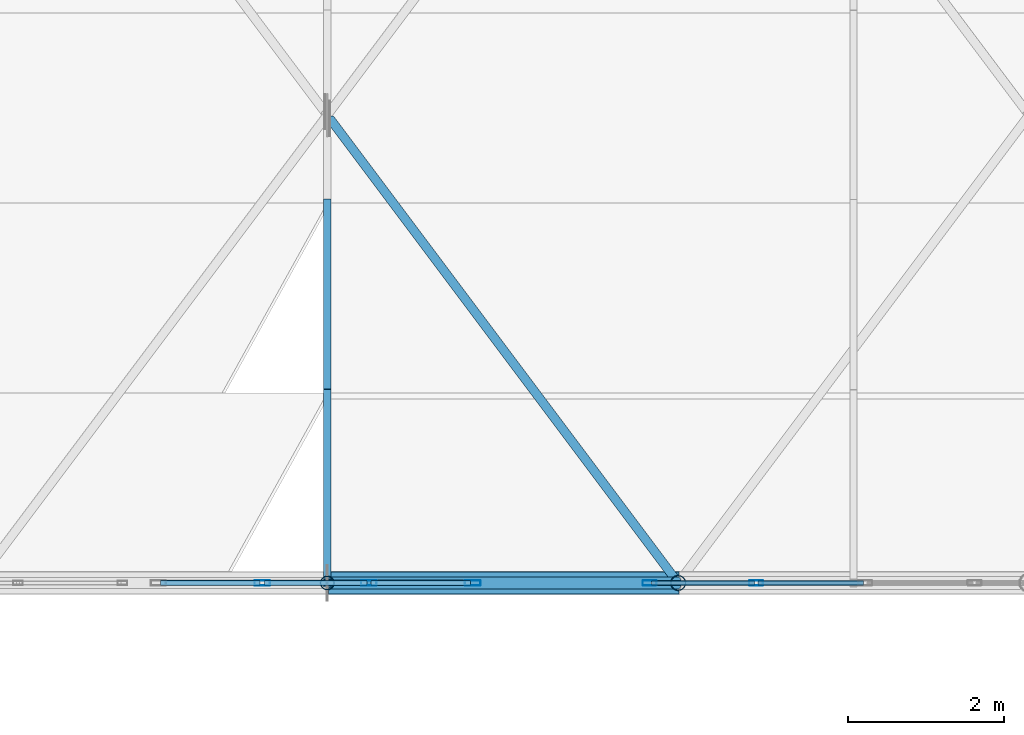
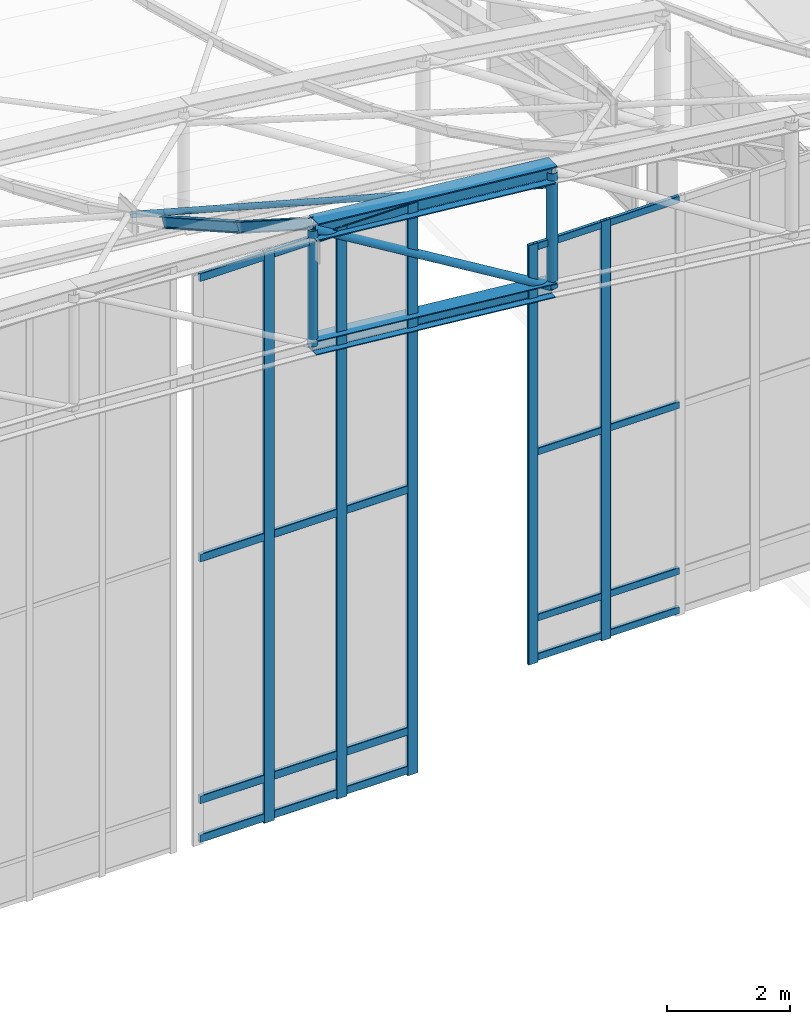
# One storey, part 66 of 262: 33 members, 2 elements without a shape of their own.
"""IFC4 building model written with IfcOpenShell, lengths in metres."""

from ifc_helpers import new_model, si_unit, derived_unit, direction, frame, origin, origin_2d, place, context, subcontext, project, spatial, hollow_rectangle, hollow_circle, i_section, extrude, material, layer, layer_set, material_profile, profile_set, type_object, element, aggregate, save


model = new_model("IFC4")

# Units and contexts
model_context = context("Model", 3, precision=1e-05, world=origin(), true_north=direction((0.0, 1.0)))
body_context = subcontext(model_context, "Body", "Model", "MODEL_VIEW")
ifc_project = project(units=[si_unit("LENGTHUNIT", "METRE"), si_unit("AREAUNIT", "SQUARE_METRE"), si_unit("VOLUMEUNIT", "CUBIC_METRE"), si_unit("PLANEANGLEUNIT", "RADIAN"), si_unit("MASSUNIT", "GRAM", prefix="KILO"), derived_unit("THERMALTRANSMITTANCEUNIT", [(si_unit("POWERUNIT", "WATT"), 1), (si_unit("LENGTHUNIT", "METRE"), -2), (si_unit("THERMODYNAMICTEMPERATUREUNIT", "KELVIN"), -1)])], contexts=[model_context])

# Site, building, storey
site_placement = place(None, origin())
site = spatial("IfcSite", under=ifc_project, at=site_placement, CompositionType="ELEMENT")
building_placement = place(site_placement, origin())
building = spatial("IfcBuilding", under=site, at=building_placement, Name="Almenara Railside Exhibition Hall", CompositionType="ELEMENT")
storey_placement = place(building_placement, frame((0.0, 0.0, 21.699951171875)))
storey = spatial("IfcBuildingStorey", under=building, at=storey_placement, Name="RF", CompositionType="ELEMENT", Elevation=21.699951171875)

# Members
ifc_material_1 = material(Name="Structural steel S355JR", Category="steel")
ifc_material_profile_1 = material_profile(ifc_material_1, i_section(OverallWidth=0.280029296875, OverallDepth=0.280029296875, WebThickness=0.010498046875, FlangeThickness=0.01806640625, FilletRadius=0.02392578125, at=origin_2d()), Name="HEB 280")
ifc_profile_set_1 = profile_set([ifc_material_profile_1], Name="Structural steel S355JR")
member_type_1 = type_object("IfcMemberType", Name="Arched Gable Bottom Chord HEB 280 S355JR", PredefinedType="CHORD", material=ifc_profile_set_1)
member_1_placement = place(storey_placement, frame((52.5, 48.0, 8.25), z_axis=(0.995512933083, 0.0, -0.094625578275), x_axis=(0.0, 1.0, 0.0)))
element("IfcMember", 1, at=member_1_placement, inside=storey, type_object=member_type_1, Name="MEM-BC-V1-00-09", PredefinedType="CHORD", context=body_context, shape_type="SweptSolid", body=[
    extrude(i_section(OverallWidth=0.280029296875, OverallDepth=0.280029296875, WebThickness=0.010498046875, FlangeThickness=0.01806640625, FilletRadius=0.02392578125, at=origin_2d()), origin(), (0.0, 0.0, 1.0), 4.520263671875),
])
ifc_material_profile_2 = material_profile(ifc_material_1, i_section(OverallWidth=0.300048828125, OverallDepth=0.340087890625, WebThickness=0.011962890625, FlangeThickness=0.021484375, FilletRadius=0.027099609375, at=origin_2d()), Name="HEB 340")
ifc_profile_set_2 = profile_set([ifc_material_profile_2], Name="Structural steel S355JR")
member_type_2 = type_object("IfcMemberType", Name="Arched Gable Top Chord HEB 340 S355JR", PredefinedType="CHORD", material=ifc_profile_set_2)
member_2_placement = place(storey_placement, frame((52.5, 48.0, 10.550048828125), z_axis=(0.995512933083, 0.0, -0.094625578275), x_axis=(0.0, 1.0, 0.0)))
element("IfcMember", 2, at=member_2_placement, inside=storey, type_object=member_type_2, Name="MEM-TC-V1-00-09", PredefinedType="CHORD", context=body_context, shape_type="SweptSolid", body=[
    extrude(i_section(OverallWidth=0.300048828125, OverallDepth=0.340087890625, WebThickness=0.011962890625, FlangeThickness=0.021484375, FilletRadius=0.027099609375, at=origin_2d()), origin(), (0.0, 0.0, 1.0), 4.520263671875),
])

# Curtain wall, members
ifc_material_2 = material(Name="Bronze-anodised aluminium and low-E double glazing", Category="aluminium")
ifc_layer = layer(ifc_material_2, 0.179931640625, Name="Bronze-anodised aluminium and low-E double glazing")
ifc_layer_set = layer_set([ifc_layer], Name="Bronze-anodised aluminium and low-E double glazing")
curtain_wall_type = type_object("IfcCurtainWallType", Name="Scroll Gable Tall Curtain Wall 3800x5400", PredefinedType="NOTDEFINED", material=ifc_layer_set)
curtain_wall_1_placement = place(storey_placement, origin())
curtain_wall_1 = element("IfcCurtainWall", 3, at=curtain_wall_1_placement, inside=storey, type_object=curtain_wall_type, Name="Curtain wall CW-G1-197", PredefinedType="NOTDEFINED")
ifc_material_3 = material(Name="Bronze-anodised aluminium", Category="aluminium")
ifc_material_profile_3 = material_profile(ifc_material_3, hollow_rectangle(XDim=0.06494140625, YDim=0.179931640625, WallThickness=0.00390625, InnerFilletRadius=0.00390625, OuterFilletRadius=0.008056640625, at=origin_2d()), Name="ALU-MUL 65x180x4")
ifc_profile_set_3 = profile_set([ifc_material_profile_3], Name="Bronze-anodised aluminium")
member_type_3 = type_object("IfcMemberType", Name="Curtain Wall Mullion 65x180x4", PredefinedType="MULLION", material=ifc_profile_set_3)
member_3_placement = place(storey_placement, frame((56.632568359375, 48.0, 0.465087890625), z_axis=(0.0, 0.0, 1.0), x_axis=(0.0, 1.0, 0.0)))
member_3 = element("IfcMember", 4, at=member_3_placement, type_object=member_type_3, Name="CW-G1-197 mullion 1", PredefinedType="MULLION", context=body_context, shape_type="SweptSolid", body=[
    extrude(hollow_rectangle(XDim=0.06494140625, YDim=0.179931640625, WallThickness=0.00390625, InnerFilletRadius=0.00390625, OuterFilletRadius=0.008056640625, at=origin_2d()), origin(), (0.0, 0.0, 1.0), 8.3349609375),
])
member_4_placement = place(storey_placement, frame((58.0, 48.0, 0.465087890625), z_axis=(0.0, 0.0, 1.0), x_axis=(0.0, 1.0, 0.0)))
member_4 = element("IfcMember", 5, at=member_4_placement, type_object=member_type_3, Name="CW-G1-197 mullion 2", PredefinedType="MULLION", context=body_context, shape_type="SweptSolid", body=[
    extrude(hollow_rectangle(XDim=0.06494140625, YDim=0.179931640625, WallThickness=0.00390625, InnerFilletRadius=0.00390625, OuterFilletRadius=0.008056640625, at=origin_2d()), origin(), (0.0, 0.0, 1.0), 8.3349609375),
])

curtain_wall_2_placement = place(storey_placement, origin())
curtain_wall_2 = element("IfcCurtainWall", 6, at=curtain_wall_2_placement, inside=storey, type_object=curtain_wall_type, Name="Curtain wall CW-G1-204", PredefinedType="NOTDEFINED")
ifc_material_profile_4 = material_profile(ifc_material_3, hollow_rectangle(XDim=0.070068359375, YDim=0.199951171875, WallThickness=0.00439453125, InnerFilletRadius=0.00439453125, OuterFilletRadius=0.009033203125, at=origin_2d()), Name="ALU-MUL 70x200x4.5")
ifc_profile_set_4 = profile_set([ifc_material_profile_4], Name="Bronze-anodised aluminium")
member_type_4 = type_object("IfcMemberType", Name="Curtain Wall Mullion 70x200x4.5", PredefinedType="MULLION", material=ifc_profile_set_4)
member_5_placement = place(storey_placement, frame((51.666748046875, 48.0, -0.93505859375), z_axis=(0.0, 0.0, 1.0), x_axis=(0.0, 1.0, 0.0)))
member_5 = element("IfcMember", 7, at=member_5_placement, type_object=member_type_4, Name="CW-G1-204 mullion 2", PredefinedType="MULLION", context=body_context, shape_type="SweptSolid", body=[
    extrude(hollow_rectangle(XDim=0.070068359375, YDim=0.199951171875, WallThickness=0.00439453125, InnerFilletRadius=0.00439453125, OuterFilletRadius=0.009033203125, at=origin_2d()), origin(), (0.0, 0.0, 1.0), 11.34521484375),
])
member_6_placement = place(storey_placement, frame((53.033447265625, 48.0, -0.93505859375), z_axis=(0.0, 0.0, 1.0), x_axis=(0.0, 1.0, 0.0)))
member_6 = element("IfcMember", 8, at=member_6_placement, type_object=member_type_4, Name="CW-G1-204 mullion 3", PredefinedType="MULLION", context=body_context, shape_type="SweptSolid", body=[
    extrude(hollow_rectangle(XDim=0.070068359375, YDim=0.199951171875, WallThickness=0.00439453125, InnerFilletRadius=0.00439453125, OuterFilletRadius=0.009033203125, at=origin_2d()), origin(), (0.0, 0.0, 1.0), 11.34521484375),
])
member_7_placement = place(storey_placement, frame((54.364990234375, 48.0, -0.93505859375), z_axis=(0.0, 0.0, 1.0), x_axis=(0.0, 1.0, 0.0)))
member_7 = element("IfcMember", 9, at=member_7_placement, type_object=member_type_4, Name="CW-G1-204 mullion 4", PredefinedType="MULLION", context=body_context, shape_type="SweptSolid", body=[
    extrude(hollow_rectangle(XDim=0.070068359375, YDim=0.199951171875, WallThickness=0.00439453125, InnerFilletRadius=0.00439453125, OuterFilletRadius=0.009033203125, at=origin_2d()), origin(), (0.0, 0.0, 1.0), 11.34521484375),
])

# Member
ifc_material_profile_5 = material_profile(ifc_material_3, hollow_rectangle(XDim=0.06494140625, YDim=0.139892578125, WallThickness=0.00341796875, InnerFilletRadius=0.00341796875, OuterFilletRadius=0.007080078125, at=origin_2d()), Name="ALU-TRN 65x140x3.5")
ifc_profile_set_5 = profile_set([ifc_material_profile_5], Name="Bronze-anodised aluminium")
member_type_5 = type_object("IfcMemberType", Name="Curtain Wall Transom 65x140x3.5", PredefinedType="USERDEFINED", material=ifc_profile_set_5)
member_8_placement = place(storey_placement, frame((56.656982421875, 48.0, 0.570068359375), z_axis=(1.0, 0.0, 0.0), x_axis=(0.0, 1.0, 0.0)))
member_8 = element("IfcMember", 10, at=member_8_placement, type_object=member_type_5, Name="CW-G1-197 transom 1.1", ObjectType="TRANSOM", PredefinedType="USERDEFINED", context=body_context, shape_type="SweptSolid", body=[
    extrude(hollow_rectangle(XDim=0.06494140625, YDim=0.139892578125, WallThickness=0.00341796875, InnerFilletRadius=0.00341796875, OuterFilletRadius=0.007080078125, at=origin_2d()), origin(), (0.0, 0.0, 1.0), 1.318603515625),
])

member_9_placement = place(storey_placement, frame((56.656982421875, 48.0, 1.35009765625), z_axis=(1.0, 0.0, 0.0), x_axis=(0.0, 1.0, 0.0)))
member_9 = element("IfcMember", 11, at=member_9_placement, type_object=member_type_5, Name="CW-G1-197 transom 1.2", ObjectType="TRANSOM", PredefinedType="USERDEFINED", context=body_context, shape_type="SweptSolid", body=[
    extrude(hollow_rectangle(XDim=0.06494140625, YDim=0.139892578125, WallThickness=0.00341796875, InnerFilletRadius=0.00341796875, OuterFilletRadius=0.007080078125, at=origin_2d()), origin(), (0.0, 0.0, 1.0), 1.318603515625),
])

member_10_placement = place(storey_placement, frame((56.656982421875, 48.0, 4.650146484375), z_axis=(1.0, 0.0, 0.0), x_axis=(0.0, 1.0, 0.0)))
member_10 = element("IfcMember", 12, at=member_10_placement, type_object=member_type_5, Name="CW-G1-197 transom 1.3", ObjectType="TRANSOM", PredefinedType="USERDEFINED", context=body_context, shape_type="SweptSolid", body=[
    extrude(hollow_rectangle(XDim=0.06494140625, YDim=0.139892578125, WallThickness=0.00341796875, InnerFilletRadius=0.00341796875, OuterFilletRadius=0.007080078125, at=origin_2d()), origin(), (0.0, 0.0, 1.0), 1.318603515625),
])

member_11_placement = place(storey_placement, frame((56.656982421875, 48.0, 8.72998046875), z_axis=(1.0, 0.0, 0.0), x_axis=(0.0, 1.0, 0.0)))
member_11 = element("IfcMember", 13, at=member_11_placement, type_object=member_type_5, Name="CW-G1-197 transom 1.4", ObjectType="TRANSOM", PredefinedType="USERDEFINED", context=body_context, shape_type="SweptSolid", body=[
    extrude(hollow_rectangle(XDim=0.06494140625, YDim=0.139892578125, WallThickness=0.00341796875, InnerFilletRadius=0.00341796875, OuterFilletRadius=0.007080078125, at=origin_2d()), origin(), (0.0, 0.0, 1.0), 1.318603515625),
])

member_12_placement = place(storey_placement, frame((58.0244140625, 48.0, 0.570068359375), z_axis=(1.0, 0.0, 0.0), x_axis=(0.0, 1.0, 0.0)))
member_12 = element("IfcMember", 14, at=member_12_placement, type_object=member_type_5, Name="CW-G1-197 transom 2.1", ObjectType="TRANSOM", PredefinedType="USERDEFINED", context=body_context, shape_type="SweptSolid", body=[
    extrude(hollow_rectangle(XDim=0.06494140625, YDim=0.139892578125, WallThickness=0.00341796875, InnerFilletRadius=0.00341796875, OuterFilletRadius=0.007080078125, at=origin_2d()), origin(), (0.0, 0.0, 1.0), 1.35107421875),
])

member_13_placement = place(storey_placement, frame((58.0244140625, 48.0, 1.35009765625), z_axis=(1.0, 0.0, 0.0), x_axis=(0.0, 1.0, 0.0)))
member_13 = element("IfcMember", 15, at=member_13_placement, type_object=member_type_5, Name="CW-G1-197 transom 2.2", ObjectType="TRANSOM", PredefinedType="USERDEFINED", context=body_context, shape_type="SweptSolid", body=[
    extrude(hollow_rectangle(XDim=0.06494140625, YDim=0.139892578125, WallThickness=0.00341796875, InnerFilletRadius=0.00341796875, OuterFilletRadius=0.007080078125, at=origin_2d()), origin(), (0.0, 0.0, 1.0), 1.35107421875),
])

member_14_placement = place(storey_placement, frame((58.0244140625, 48.0, 4.650146484375), z_axis=(1.0, 0.0, 0.0), x_axis=(0.0, 1.0, 0.0)))
member_14 = element("IfcMember", 16, at=member_14_placement, type_object=member_type_5, Name="CW-G1-197 transom 2.3", ObjectType="TRANSOM", PredefinedType="USERDEFINED", context=body_context, shape_type="SweptSolid", body=[
    extrude(hollow_rectangle(XDim=0.06494140625, YDim=0.139892578125, WallThickness=0.00341796875, InnerFilletRadius=0.00341796875, OuterFilletRadius=0.007080078125, at=origin_2d()), origin(), (0.0, 0.0, 1.0), 1.35107421875),
])

member_15_placement = place(storey_placement, frame((58.0244140625, 48.0, 8.72998046875), z_axis=(1.0, 0.0, 0.0), x_axis=(0.0, 1.0, 0.0)))
member_15 = element("IfcMember", 17, at=member_15_placement, type_object=member_type_5, Name="CW-G1-197 transom 2.4", ObjectType="TRANSOM", PredefinedType="USERDEFINED", context=body_context, shape_type="SweptSolid", body=[
    extrude(hollow_rectangle(XDim=0.06494140625, YDim=0.139892578125, WallThickness=0.00341796875, InnerFilletRadius=0.00341796875, OuterFilletRadius=0.007080078125, at=origin_2d()), origin(), (0.0, 0.0, 1.0), 1.35107421875),
])

aggregate(curtain_wall_1, [member_3, member_4, member_8, member_9, member_10, member_11, member_12, member_13, member_14, member_15])

ifc_material_profile_6 = material_profile(ifc_material_3, hollow_rectangle(XDim=0.070068359375, YDim=0.159912109375, WallThickness=0.00390625, InnerFilletRadius=0.00390625, OuterFilletRadius=0.008056640625, at=origin_2d()), Name="ALU-TRN 70x160x4")
ifc_profile_set_6 = profile_set([ifc_material_profile_6], Name="Bronze-anodised aluminium")
member_type_6 = type_object("IfcMemberType", Name="Curtain Wall Transom 70x160x4", PredefinedType="USERDEFINED", material=ifc_profile_set_6)
member_16_placement = place(storey_placement, frame((50.362060546875, 48.0, -0.820068359375), z_axis=(1.0, 0.0, 0.0), x_axis=(0.0, 1.0, 0.0)))
member_16 = element("IfcMember", 18, at=member_16_placement, type_object=member_type_6, Name="CW-G1-204 transom 1.1", ObjectType="TRANSOM", PredefinedType="USERDEFINED", context=body_context, shape_type="SweptSolid", body=[
    extrude(hollow_rectangle(XDim=0.070068359375, YDim=0.159912109375, WallThickness=0.00390625, InnerFilletRadius=0.00390625, OuterFilletRadius=0.008056640625, at=origin_2d()), origin(), (0.0, 0.0, 1.0), 1.277587890625),
])

member_17_placement = place(storey_placement, frame((50.362060546875, 48.0, -0.050048828125), z_axis=(1.0, 0.0, 0.0), x_axis=(0.0, 1.0, 0.0)))
member_17 = element("IfcMember", 19, at=member_17_placement, type_object=member_type_6, Name="CW-G1-204 transom 1.2", ObjectType="TRANSOM", PredefinedType="USERDEFINED", context=body_context, shape_type="SweptSolid", body=[
    extrude(hollow_rectangle(XDim=0.070068359375, YDim=0.159912109375, WallThickness=0.00390625, InnerFilletRadius=0.00390625, OuterFilletRadius=0.008056640625, at=origin_2d()), origin(), (0.0, 0.0, 1.0), 1.277587890625),
])

member_18_placement = place(storey_placement, frame((50.362060546875, 48.0, 4.755126953125), z_axis=(1.0, 0.0, 0.0), x_axis=(0.0, 1.0, 0.0)))
member_18 = element("IfcMember", 20, at=member_18_placement, type_object=member_type_6, Name="CW-G1-204 transom 1.3", ObjectType="TRANSOM", PredefinedType="USERDEFINED", context=body_context, shape_type="SweptSolid", body=[
    extrude(hollow_rectangle(XDim=0.070068359375, YDim=0.159912109375, WallThickness=0.00390625, InnerFilletRadius=0.00390625, OuterFilletRadius=0.008056640625, at=origin_2d()), origin(), (0.0, 0.0, 1.0), 1.277587890625),
])

member_19_placement = place(storey_placement, frame((50.362060546875, 48.0, 10.330078125), z_axis=(1.0, 0.0, 0.0), x_axis=(0.0, 1.0, 0.0)))
member_19 = element("IfcMember", 21, at=member_19_placement, type_object=member_type_6, Name="CW-G1-204 transom 1.4", ObjectType="TRANSOM", PredefinedType="USERDEFINED", context=body_context, shape_type="SweptSolid", body=[
    extrude(hollow_rectangle(XDim=0.070068359375, YDim=0.159912109375, WallThickness=0.00390625, InnerFilletRadius=0.00390625, OuterFilletRadius=0.008056640625, at=origin_2d()), origin(), (0.0, 0.0, 1.0), 1.277587890625),
])

member_20_placement = place(storey_placement, frame((51.693603515625, 48.0, -0.820068359375), z_axis=(1.0, 0.0, 0.0), x_axis=(0.0, 1.0, 0.0)))
member_20 = element("IfcMember", 22, at=member_20_placement, type_object=member_type_6, Name="CW-G1-204 transom 2.1", ObjectType="TRANSOM", PredefinedType="USERDEFINED", context=body_context, shape_type="SweptSolid", body=[
    extrude(hollow_rectangle(XDim=0.070068359375, YDim=0.159912109375, WallThickness=0.00390625, InnerFilletRadius=0.00390625, OuterFilletRadius=0.008056640625, at=origin_2d()), origin(), (0.0, 0.0, 1.0), 1.312744140625),
])

member_21_placement = place(storey_placement, frame((51.693603515625, 48.0, -0.050048828125), z_axis=(1.0, 0.0, 0.0), x_axis=(0.0, 1.0, 0.0)))
member_21 = element("IfcMember", 23, at=member_21_placement, type_object=member_type_6, Name="CW-G1-204 transom 2.2", ObjectType="TRANSOM", PredefinedType="USERDEFINED", context=body_context, shape_type="SweptSolid", body=[
    extrude(hollow_rectangle(XDim=0.070068359375, YDim=0.159912109375, WallThickness=0.00390625, InnerFilletRadius=0.00390625, OuterFilletRadius=0.008056640625, at=origin_2d()), origin(), (0.0, 0.0, 1.0), 1.312744140625),
])

member_22_placement = place(storey_placement, frame((51.693603515625, 48.0, 4.755126953125), z_axis=(1.0, 0.0, 0.0), x_axis=(0.0, 1.0, 0.0)))
member_22 = element("IfcMember", 24, at=member_22_placement, type_object=member_type_6, Name="CW-G1-204 transom 2.3", ObjectType="TRANSOM", PredefinedType="USERDEFINED", context=body_context, shape_type="SweptSolid", body=[
    extrude(hollow_rectangle(XDim=0.070068359375, YDim=0.159912109375, WallThickness=0.00390625, InnerFilletRadius=0.00390625, OuterFilletRadius=0.008056640625, at=origin_2d()), origin(), (0.0, 0.0, 1.0), 1.312744140625),
])

member_23_placement = place(storey_placement, frame((51.693603515625, 48.0, 10.330078125), z_axis=(1.0, 0.0, 0.0), x_axis=(0.0, 1.0, 0.0)))
member_23 = element("IfcMember", 25, at=member_23_placement, type_object=member_type_6, Name="CW-G1-204 transom 2.4", ObjectType="TRANSOM", PredefinedType="USERDEFINED", context=body_context, shape_type="SweptSolid", body=[
    extrude(hollow_rectangle(XDim=0.070068359375, YDim=0.159912109375, WallThickness=0.00390625, InnerFilletRadius=0.00390625, OuterFilletRadius=0.008056640625, at=origin_2d()), origin(), (0.0, 0.0, 1.0), 1.312744140625),
])

member_24_placement = place(storey_placement, frame((53.060302734375, 48.0, -0.820068359375), z_axis=(1.0, 0.0, 0.0), x_axis=(0.0, 1.0, 0.0)))
member_24 = element("IfcMember", 26, at=member_24_placement, type_object=member_type_6, Name="CW-G1-204 transom 3.1", ObjectType="TRANSOM", PredefinedType="USERDEFINED", context=body_context, shape_type="SweptSolid", body=[
    extrude(hollow_rectangle(XDim=0.070068359375, YDim=0.159912109375, WallThickness=0.00390625, InnerFilletRadius=0.00390625, OuterFilletRadius=0.008056640625, at=origin_2d()), origin(), (0.0, 0.0, 1.0), 1.277587890625),
])

member_25_placement = place(storey_placement, frame((53.060302734375, 48.0, -0.050048828125), z_axis=(1.0, 0.0, 0.0), x_axis=(0.0, 1.0, 0.0)))
member_25 = element("IfcMember", 27, at=member_25_placement, type_object=member_type_6, Name="CW-G1-204 transom 3.2", ObjectType="TRANSOM", PredefinedType="USERDEFINED", context=body_context, shape_type="SweptSolid", body=[
    extrude(hollow_rectangle(XDim=0.070068359375, YDim=0.159912109375, WallThickness=0.00390625, InnerFilletRadius=0.00390625, OuterFilletRadius=0.008056640625, at=origin_2d()), origin(), (0.0, 0.0, 1.0), 1.277587890625),
])

member_26_placement = place(storey_placement, frame((53.060302734375, 48.0, 4.755126953125), z_axis=(1.0, 0.0, 0.0), x_axis=(0.0, 1.0, 0.0)))
member_26 = element("IfcMember", 28, at=member_26_placement, type_object=member_type_6, Name="CW-G1-204 transom 3.3", ObjectType="TRANSOM", PredefinedType="USERDEFINED", context=body_context, shape_type="SweptSolid", body=[
    extrude(hollow_rectangle(XDim=0.070068359375, YDim=0.159912109375, WallThickness=0.00390625, InnerFilletRadius=0.00390625, OuterFilletRadius=0.008056640625, at=origin_2d()), origin(), (0.0, 0.0, 1.0), 1.277587890625),
])

member_27_placement = place(storey_placement, frame((53.060302734375, 48.0, 10.330078125), z_axis=(1.0, 0.0, 0.0), x_axis=(0.0, 1.0, 0.0)))
member_27 = element("IfcMember", 29, at=member_27_placement, type_object=member_type_6, Name="CW-G1-204 transom 3.4", ObjectType="TRANSOM", PredefinedType="USERDEFINED", context=body_context, shape_type="SweptSolid", body=[
    extrude(hollow_rectangle(XDim=0.070068359375, YDim=0.159912109375, WallThickness=0.00390625, InnerFilletRadius=0.00390625, OuterFilletRadius=0.008056640625, at=origin_2d()), origin(), (0.0, 0.0, 1.0), 1.277587890625),
])

aggregate(curtain_wall_2, [member_5, member_6, member_7, member_16, member_17, member_18, member_19, member_20, member_21, member_22, member_23, member_24, member_25, member_26, member_27])

# Members
ifc_material_profile_7 = material_profile(ifc_material_1, hollow_circle(Radius=0.05712890625, WallThickness=0.00439453125, at=origin_2d()), Name="CHS 114.3x4.5")
ifc_profile_set_7 = profile_set([ifc_material_profile_7], Name="Structural steel S355JR")
member_type_7 = type_object("IfcMemberType", Name="Roof Wind Plan X-Brace CHS 114.3x4.5 S355JR", PredefinedType="BRACE", material=ifc_profile_set_7)
member_28_placement = place(storey_placement, frame((57.0, 48.0, 9.84228515625), z_axis=(-0.565415222455, 0.753897267906, -0.334581134644), x_axis=(-0.800003936526, -0.599994751263, 0.0)))
element("IfcMember", 30, at=member_28_placement, inside=storey, type_object=member_type_7, Name="MEM-WB-V1-WB-CHS114-00-08-S1", PredefinedType="BRACE", context=body_context, shape_type="SweptSolid", body=[
    extrude(hollow_circle(Radius=0.05712890625, WallThickness=0.00439453125, at=origin_2d()), origin(), (0.0, 0.0, 1.0), 7.8974609375),
])
ifc_material_profile_8 = material_profile(ifc_material_1, i_section(OverallWidth=0.10009765625, OverallDepth=0.199951171875, WebThickness=0.005615234375, FlangeThickness=0.008544921875, FilletRadius=0.011962890625, at=origin_2d()), Name="IPE 200")
ifc_profile_set_8 = profile_set([ifc_material_profile_8], Name="Structural steel S355JR")
member_type_8 = type_object("IfcMemberType", Name="Standard Hall Roof Purlin IPE 200 S355JR", PredefinedType="PURLIN", material=ifc_profile_set_8)
member_29_placement = place(storey_placement, frame((52.5, 48.0, 10.651123046875), z_axis=(0.0, 0.842226955435, -0.539123135785), x_axis=(-1.0, 0.0, 0.0)))
element("IfcMember", 31, at=member_29_placement, inside=storey, type_object=member_type_8, Name="MEM-PR-V1-PR-IPE200-06-00", PredefinedType="PURLIN", context=body_context, shape_type="SweptSolid", body=[
    extrude(i_section(OverallWidth=0.10009765625, OverallDepth=0.199951171875, WebThickness=0.005615234375, FlangeThickness=0.008544921875, FilletRadius=0.011962890625, at=origin_2d()), origin(), (0.0, 0.0, 1.0), 2.893310546875),
])
member_30_placement = place(storey_placement, frame((52.5, 50.436767578125, 9.102294921875), z_axis=(0.0, 0.870445855666, -0.492264169277), x_axis=(-1.0, 0.0, 0.0)))
element("IfcMember", 32, at=member_30_placement, inside=storey, type_object=member_type_8, Name="MEM-PR-V1-PR-IPE200-06-01", PredefinedType="PURLIN", context=body_context, shape_type="SweptSolid", body=[
    extrude(i_section(OverallWidth=0.10009765625, OverallDepth=0.199951171875, WebThickness=0.005615234375, FlangeThickness=0.008544921875, FilletRadius=0.011962890625, at=origin_2d()), origin(), (0.0, 0.0, 1.0), 2.799072265625),
])
ifc_material_profile_9 = material_profile(ifc_material_1, hollow_circle(Radius=0.076171875, WallThickness=0.0048828125, at=origin_2d()), Name="CHS 152.4x5")
ifc_profile_set_9 = profile_set([ifc_material_profile_9], Name="Structural steel S355JR")
member_type_9 = type_object("IfcMemberType", Name="Truss Mid Diagonal CHS 152.4x5 S355JR", PredefinedType="BRACE", material=ifc_profile_set_9)
member_31_placement = place(storey_placement, frame((52.5, 48.0, 10.550048828125), z_axis=(0.855154829777, 0.0, -0.518372662386), x_axis=(0.0, 1.0, 0.0)))
element("IfcMember", 33, at=member_31_placement, inside=storey, type_object=member_type_9, Name="MEM-TD-V1-00-09", PredefinedType="BRACE", context=body_context, shape_type="SweptSolid", body=[
    extrude(hollow_circle(Radius=0.076171875, WallThickness=0.0048828125, at=origin_2d()), origin(), (0.0, 0.0, 1.0), 5.26220703125),
])
ifc_material_profile_10 = material_profile(ifc_material_1, hollow_circle(Radius=0.0888671875, WallThickness=0.006103515625, at=origin_2d()), Name="CHS 177.8x6")
ifc_profile_set_10 = profile_set([ifc_material_profile_10], Name="Structural steel S355JR")
member_type_10 = type_object("IfcMemberType", Name="Truss Quarter Vertical Strut CHS 177.8x6 S355JR", PredefinedType="BRACE", material=ifc_profile_set_10)
member_32_placement = place(storey_placement, frame((52.5, 48.0, 8.25), z_axis=(0.0, 0.0, 1.0), x_axis=(1.0, 0.0, 0.0)))
element("IfcMember", 34, at=member_32_placement, inside=storey, type_object=member_type_10, Name="MEM-TV-V1-00-09", PredefinedType="BRACE", context=body_context, shape_type="SweptSolid", body=[
    extrude(hollow_circle(Radius=0.0888671875, WallThickness=0.006103515625, at=origin_2d()), origin(), (0.0, 0.0, 1.0), 2.300048828125),
])
ifc_material_profile_11 = material_profile(ifc_material_1, hollow_circle(Radius=0.096923828125, WallThickness=0.00634765625, at=origin_2d()), Name="CHS 193.7x6.3")
ifc_profile_set_11 = profile_set([ifc_material_profile_11], Name="Structural steel S355JR")
member_type_11 = type_object("IfcMemberType", Name="Truss Standard Vertical Strut CHS 193.7x6.3 S355JR", PredefinedType="BRACE", material=ifc_profile_set_11)
member_33_placement = place(storey_placement, frame((57.0, 48.0, 7.822265625), z_axis=(0.0, 0.0, 1.0), x_axis=(1.0, 0.0, 0.0)))
element("IfcMember", 35, at=member_33_placement, inside=storey, type_object=member_type_11, Name="MEM-TV-V1-00-10", PredefinedType="BRACE", context=body_context, shape_type="SweptSolid", body=[
    extrude(hollow_circle(Radius=0.096923828125, WallThickness=0.00634765625, at=origin_2d()), origin(), (0.0, 0.0, 1.0), 2.300048828125),
])

save(model, "model.ifc")
